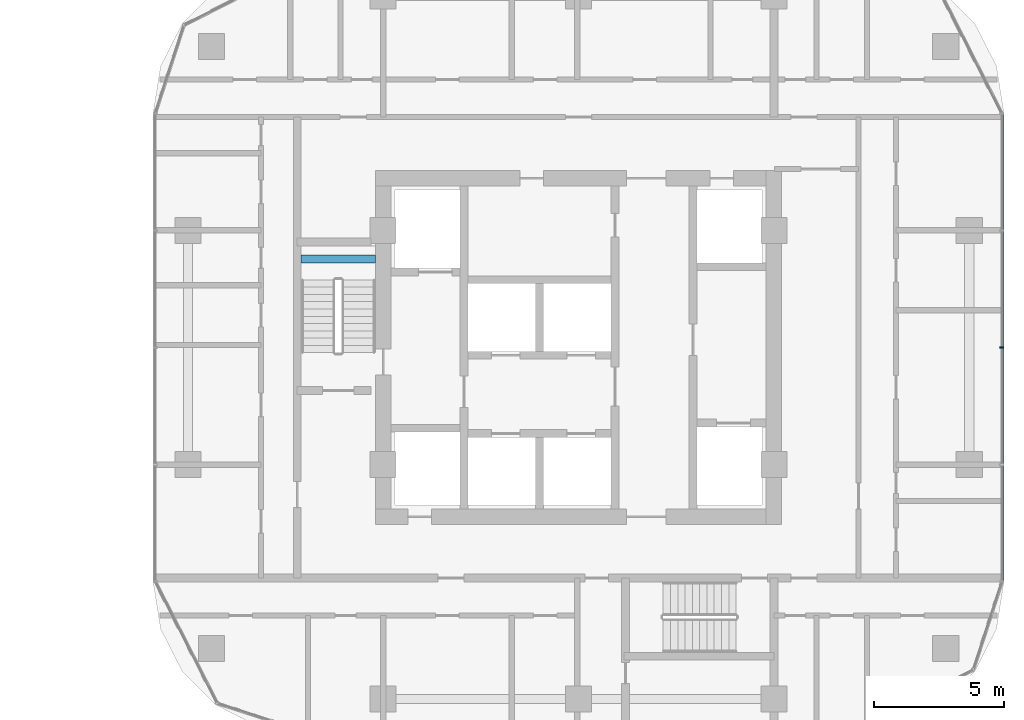
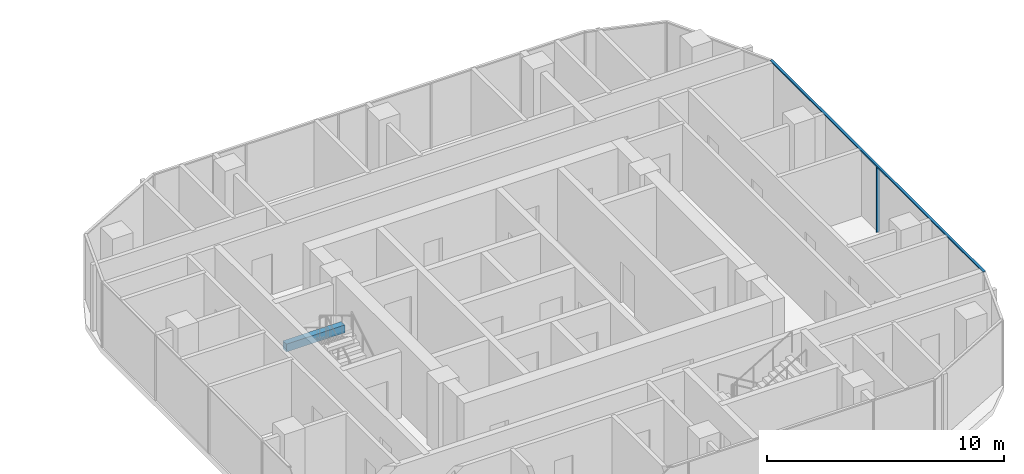
# One storey, part 12 of 36: 2 members, 1 beam, 1 element without a shape of its own.
"""IFC4 building model written with IfcOpenShell, lengths in metres."""

from ifc_helpers import new_model, si_unit, direction, frame, origin, origin_2d, place, context, subcontext, project, spatial, rectangle, extrude, material, material_profile, profile_set, type_object, element, aggregate, save


model = new_model("IFC4")

# Units and contexts
model_context = context("Model", 3, precision=1e-05, world=origin(), true_north=direction((0.0, 1.0)))
body_context = subcontext(model_context, "Body", "Model", "MODEL_VIEW")
ifc_project = project(units=[si_unit("LENGTHUNIT", "METRE"), si_unit("AREAUNIT", "SQUARE_METRE"), si_unit("VOLUMEUNIT", "CUBIC_METRE"), si_unit("PLANEANGLEUNIT", "RADIAN"), si_unit("MASSUNIT", "GRAM", prefix="KILO")], contexts=[model_context])

# Site, building, storey
site_placement = place(None, origin())
site = spatial("IfcSite", under=ifc_project, at=site_placement, CompositionType="ELEMENT")
building_placement = place(site_placement, origin())
building = spatial("IfcBuilding", under=site, at=building_placement, Name="Ogive Portal Towers", CompositionType="ELEMENT")
storey_placement = place(building_placement, frame((0.0, 0.0, 48.300048828125)))
storey = spatial("IfcBuildingStorey", under=building, at=storey_placement, Name="L10", CompositionType="ELEMENT", Elevation=48.300048828125)

# Beam
ifc_material_1 = material(Name="Concrete C40/50", Category="concrete")
ifc_material_profile_1 = material_profile(ifc_material_1, rectangle(XDim=0.300048828125, YDim=0.39990234375, at=origin_2d()), Name="RC 300x400")
ifc_profile_set_1 = profile_set([ifc_material_profile_1], Name="Concrete C40/50")
beam_type = type_object("IfcBeamType", Name="BEAM RC 300x400", PredefinedType="BEAM", material=ifc_profile_set_1)
beam_placement = place(storey_placement, frame((125.85009765625, 34.39990234375, 1.449951171875), z_axis=(1.0, 0.0, 0.0), x_axis=(0.0, 1.0, 0.0)))
element("IfcBeam", 1, at=beam_placement, inside=storey, type_object=beam_type, Name="Landing beam L10", PredefinedType="BEAM", context=body_context, shape_type="SweptSolid", body=[
    extrude(rectangle(XDim=0.300048828125, YDim=0.39990234375, at=origin_2d()), origin(), (0.0, 0.0, 1.0), 2.849853515625),
])

# Curtain wall, members
ifc_material_2 = material(Name="Glass, clear low-iron insulated glazing", Category="glass")
curtain_wall_type = type_object("IfcCurtainWallType", Name="CW RESIDENCES RIBBON", PredefinedType="NOTDEFINED", material=ifc_material_2)
curtain_wall_placement = place(storey_placement, origin())
curtain_wall = element("IfcCurtainWall", 2, at=curtain_wall_placement, inside=storey, type_object=curtain_wall_type, Name="B:L10:f05:cw0", PredefinedType="NOTDEFINED")
ifc_material_3 = material(Name="Aluminium 6063 anodised", Category="aluminium")
ifc_material_profile_2 = material_profile(ifc_material_3, rectangle(XDim=0.159912109375, YDim=0.06005859375, at=origin_2d()), Name="AL 60x160")
ifc_profile_set_2 = profile_set([ifc_material_profile_2], Name="Aluminium 6063 anodised")
member_type_1 = type_object("IfcMemberType", Name="CW MULLION 60x160", PredefinedType="MULLION", material=ifc_profile_set_2)
member_1_placement = place(storey_placement, frame((152.7548828125, 31.0, 0.0), z_axis=(0.0, 0.0, 1.0), x_axis=(-1.0, 0.0, 0.0)))
member_1 = element("IfcMember", 3, at=member_1_placement, type_object=member_type_1, Name="mullion", PredefinedType="MULLION", context=body_context, shape_type="SweptSolid", body=[
    extrude(rectangle(XDim=0.159912109375, YDim=0.06005859375, at=origin_2d()), origin(), (0.0, 0.0, 1.0), 3.33984375),
])
ifc_material_profile_3 = material_profile(ifc_material_3, rectangle(XDim=0.1201171875, YDim=0.06005859375, at=origin_2d()), Name="AL 120x60")
ifc_profile_set_3 = profile_set([ifc_material_profile_3], Name="Aluminium 6063 anodised")
member_type_2 = type_object("IfcMemberType", Name="CW TRANSOM 60x120", PredefinedType="USERDEFINED", material=ifc_profile_set_3)
member_2_placement = place(storey_placement, frame((152.7548828125, 22.0126953125, 3.369873046875), z_axis=(0.0, 1.0, 0.0), x_axis=(-1.0, 0.0, 0.0)))
member_2 = element("IfcMember", 4, at=member_2_placement, type_object=member_type_2, Name="transom", ObjectType="TRANSOM", PredefinedType="USERDEFINED", context=body_context, shape_type="SweptSolid", body=[
    extrude(rectangle(XDim=0.1201171875, YDim=0.06005859375, at=origin_2d()), origin(), (0.0, 0.0, 1.0), 17.968017578125),
])
aggregate(curtain_wall, [member_2, member_1])

save(model, "model.ifc")
